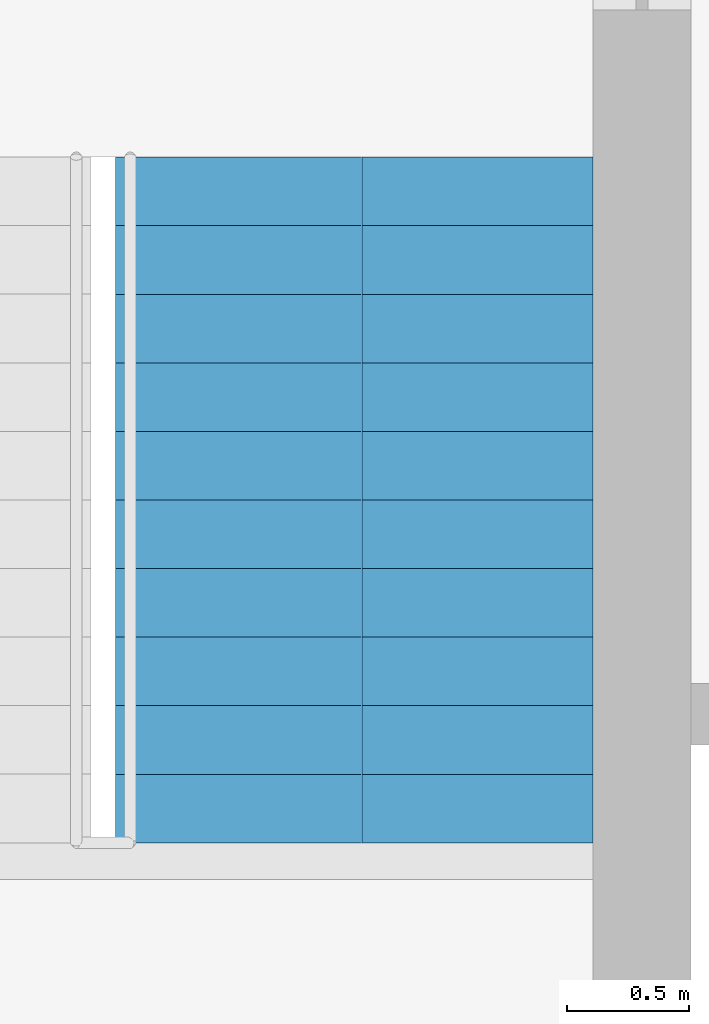
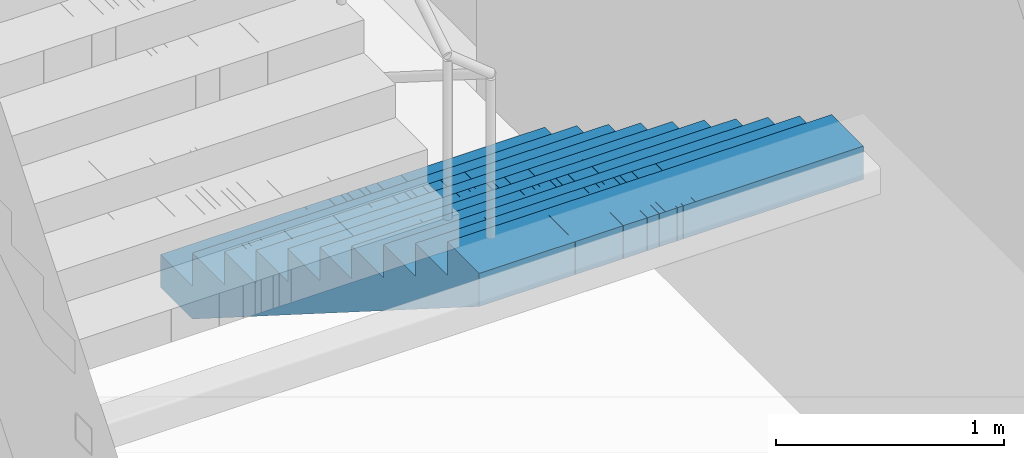
# One storey, part 21 of 22: 1 stair flight, 1 element without a shape of its own.
"""IFC4 building model written with IfcOpenShell, lengths in metres."""

from ifc_helpers import new_model, si_unit, direction, frame, origin, place, context, subcontext, project, spatial, polyline, outline, extrude, material, type_object, element, aggregate, save


model = new_model("IFC4")

# Units and contexts
model_context = context("Model", 3, precision=1e-05, world=origin(), true_north=direction((0.0, 1.0)))
body_context = subcontext(model_context, "Body", "Model", "MODEL_VIEW")
ifc_project = project(units=[si_unit("LENGTHUNIT", "METRE"), si_unit("AREAUNIT", "SQUARE_METRE"), si_unit("VOLUMEUNIT", "CUBIC_METRE"), si_unit("PLANEANGLEUNIT", "RADIAN"), si_unit("MASSUNIT", "GRAM", prefix="KILO")], contexts=[model_context])

# Site, building, storey
site_placement = place(None, origin())
site = spatial("IfcSite", under=ifc_project, at=site_placement, CompositionType="ELEMENT")
building_placement = place(site_placement, origin())
building = spatial("IfcBuilding", under=site, at=building_placement, Name="Mizan Broadcast Tower", CompositionType="ELEMENT")
storey_placement = place(building_placement, frame((0.0, 0.0, 90.300048828125)))
storey = spatial("IfcBuildingStorey", under=building, at=storey_placement, Name="L19", CompositionType="ELEMENT", Elevation=90.300048828125)

# Stair, stair flight
ifc_material_1 = material(Name="Concrete C40/50", Category="concrete")
stair_type = type_object("IfcStairType", Name="EXIT STAIR", PredefinedType="HALF_TURN_STAIR", material=ifc_material_1)
stair_placement = place(storey_placement, origin())
stair = element("IfcStair", 1, at=stair_placement, inside=storey, type_object=stair_type, Name="Stair B L19", PredefinedType="HALF_TURN_STAIR")
ifc_material_2 = material(Name="Concrete C40/50", Category="concrete")
stair_flight_type = type_object("IfcStairFlightType", Name="EXIT STAIR FLIGHT", PredefinedType="STRAIGHT", material=ifc_material_2)
stair_flight_placement = place(storey_placement, frame((1.02490234375, 7.89990234375, 0.0), z_axis=(0.0, 0.0, 1.0), x_axis=(0.0, -1.0, 0.0)))
stair_flight = element("IfcStairFlight", 2, at=stair_flight_placement, type_object=stair_flight_type, Name="B flight 1", NumberOfRisers=11, NumberOfTreads=10, PredefinedType="STRAIGHT", RiserHeight=0.177272727, TreadLength=0.28, context=body_context, shape_type="SweptSolid", body=[
    extrude(outline(polyline([(0.0, 0.0), (0.0, 0.17724609375), (0.280029296875, 0.17724609375), (0.280029296875, 0.3544921875), (0.56005859375, 0.3544921875), (0.56005859375, 0.53173828125), (0.840087890625, 0.53173828125), (0.840087890625, 0.708984375), (1.1201171875, 0.708984375), (1.1201171875, 0.886474609375), (1.39990234375, 0.886474609375), (1.39990234375, 1.063720703125), (1.679931640625, 1.063720703125), (1.679931640625, 1.240966796875), (1.9599609375, 1.240966796875), (1.9599609375, 1.418212890625), (2.239990234375, 1.418212890625), (2.239990234375, 1.595458984375), (2.52001953125, 1.595458984375), (2.52001953125, 1.772705078125), (2.800048828125, 1.772705078125), (2.800048828125, 1.949951171875), (2.800048828125, 1.59521484375), (0.2802734375, 0.0), (0.0, 0.0)])), frame((0.0, 0.97509765625, 0.0), z_axis=(0.0, -1.0, 0.0), x_axis=(1.0, 0.0, 0.0)), (0.0, 0.0, 1.0), 0.4873046875),
    extrude(outline(polyline([(0.0, 0.0), (0.0, 0.17724609375), (0.280029296875, 0.17724609375), (0.280029296875, 0.3544921875), (0.56005859375, 0.3544921875), (0.56005859375, 0.53173828125), (0.840087890625, 0.53173828125), (0.840087890625, 0.708984375), (1.1201171875, 0.708984375), (1.1201171875, 0.886474609375), (1.39990234375, 0.886474609375), (1.39990234375, 1.063720703125), (1.679931640625, 1.063720703125), (1.679931640625, 1.240966796875), (1.9599609375, 1.240966796875), (1.9599609375, 1.418212890625), (2.239990234375, 1.418212890625), (2.239990234375, 1.595458984375), (2.52001953125, 1.595458984375), (2.52001953125, 1.772705078125), (2.800048828125, 1.772705078125), (2.800048828125, 1.949951171875), (2.800048828125, 1.59521484375), (0.2802734375, 0.0), (0.0, 0.0)])), frame((0.0, 0.4873046875, 0.0), z_axis=(0.0, -1.0, 0.0), x_axis=(1.0, 0.0, 0.0)), (0.0, 0.0, 1.0), 0.2431640625),
    extrude(outline(polyline([(0.0, 0.0), (0.0, 0.17724609375), (0.280029296875, 0.17724609375), (0.280029296875, 0.3544921875), (0.56005859375, 0.3544921875), (0.56005859375, 0.53173828125), (0.840087890625, 0.53173828125), (0.840087890625, 0.708984375), (1.1201171875, 0.708984375), (1.1201171875, 0.886474609375), (1.39990234375, 0.886474609375), (1.39990234375, 1.063720703125), (1.679931640625, 1.063720703125), (1.679931640625, 1.240966796875), (1.9599609375, 1.240966796875), (1.9599609375, 1.418212890625), (2.239990234375, 1.418212890625), (2.239990234375, 1.595458984375), (2.52001953125, 1.595458984375), (2.52001953125, 1.772705078125), (2.800048828125, 1.772705078125), (2.800048828125, 1.949951171875), (2.800048828125, 1.59521484375), (0.2802734375, 0.0), (0.0, 0.0)])), frame((0.0, 0.24365234375, 0.0), z_axis=(0.0, -1.0, 0.0), x_axis=(1.0, 0.0, 0.0)), (0.0, 0.0, 1.0), 0.121337890625),
    extrude(outline(polyline([(0.0, 0.0), (0.0, 0.17724609375), (0.280029296875, 0.17724609375), (0.280029296875, 0.3544921875), (0.56005859375, 0.3544921875), (0.56005859375, 0.53173828125), (0.840087890625, 0.53173828125), (0.840087890625, 0.708984375), (1.1201171875, 0.708984375), (1.1201171875, 0.886474609375), (1.39990234375, 0.886474609375), (1.39990234375, 1.063720703125), (1.679931640625, 1.063720703125), (1.679931640625, 1.240966796875), (1.9599609375, 1.240966796875), (1.9599609375, 1.418212890625), (2.239990234375, 1.418212890625), (2.239990234375, 1.595458984375), (2.52001953125, 1.595458984375), (2.52001953125, 1.772705078125), (2.800048828125, 1.772705078125), (2.800048828125, 1.949951171875), (2.800048828125, 1.59521484375), (0.2802734375, 0.0), (0.0, 0.0)])), frame((0.0, 0.121826171875, 0.0), z_axis=(0.0, -1.0, 0.0), x_axis=(1.0, 0.0, 0.0)), (0.0, 0.0, 1.0), 0.060546875),
    extrude(outline(polyline([(0.0, 0.0), (0.0, 0.17724609375), (0.280029296875, 0.17724609375), (0.280029296875, 0.3544921875), (0.56005859375, 0.3544921875), (0.56005859375, 0.53173828125), (0.840087890625, 0.53173828125), (0.840087890625, 0.708984375), (1.1201171875, 0.708984375), (1.1201171875, 0.886474609375), (1.39990234375, 0.886474609375), (1.39990234375, 1.063720703125), (1.679931640625, 1.063720703125), (1.679931640625, 1.240966796875), (1.9599609375, 1.240966796875), (1.9599609375, 1.418212890625), (2.239990234375, 1.418212890625), (2.239990234375, 1.595458984375), (2.52001953125, 1.595458984375), (2.52001953125, 1.772705078125), (2.800048828125, 1.772705078125), (2.800048828125, 1.949951171875), (2.800048828125, 1.59521484375), (0.2802734375, 0.0), (0.0, 0.0)])), frame((0.0, 0.060791015625, 0.0), z_axis=(0.0, -1.0, 0.0), x_axis=(1.0, 0.0, 0.0)), (0.0, 0.0, 1.0), 0.030029296875),
    extrude(outline(polyline([(0.0, 0.0), (0.0, 0.17724609375), (0.280029296875, 0.17724609375), (0.280029296875, 0.3544921875), (0.56005859375, 0.3544921875), (0.56005859375, 0.53173828125), (0.840087890625, 0.53173828125), (0.840087890625, 0.708984375), (1.1201171875, 0.708984375), (1.1201171875, 0.886474609375), (1.39990234375, 0.886474609375), (1.39990234375, 1.063720703125), (1.679931640625, 1.063720703125), (1.679931640625, 1.240966796875), (1.9599609375, 1.240966796875), (1.9599609375, 1.418212890625), (2.239990234375, 1.418212890625), (2.239990234375, 1.595458984375), (2.52001953125, 1.595458984375), (2.52001953125, 1.772705078125), (2.800048828125, 1.772705078125), (2.800048828125, 1.949951171875), (2.800048828125, 1.59521484375), (0.2802734375, 0.0), (0.0, 0.0)])), frame((0.0, 0.0302734375, 0.0), z_axis=(0.0, -1.0, 0.0), x_axis=(1.0, 0.0, 0.0)), (0.0, 0.0, 1.0), 0.060302734375),
    extrude(outline(polyline([(0.0, 0.0), (0.0, 0.17724609375), (0.280029296875, 0.17724609375), (0.280029296875, 0.3544921875), (0.56005859375, 0.3544921875), (0.56005859375, 0.53173828125), (0.840087890625, 0.53173828125), (0.840087890625, 0.708984375), (1.1201171875, 0.708984375), (1.1201171875, 0.886474609375), (1.39990234375, 0.886474609375), (1.39990234375, 1.063720703125), (1.679931640625, 1.063720703125), (1.679931640625, 1.240966796875), (1.9599609375, 1.240966796875), (1.9599609375, 1.418212890625), (2.239990234375, 1.418212890625), (2.239990234375, 1.595458984375), (2.52001953125, 1.595458984375), (2.52001953125, 1.772705078125), (2.800048828125, 1.772705078125), (2.800048828125, 1.949951171875), (2.800048828125, 1.59521484375), (0.2802734375, 0.0), (0.0, 0.0)])), frame((0.0, -0.030517578125, 0.0), z_axis=(0.0, -1.0, 0.0), x_axis=(1.0, 0.0, 0.0)), (0.0, 0.0, 1.0), 0.030029296875),
    extrude(outline(polyline([(0.0, 0.0), (0.0, 0.17724609375), (0.280029296875, 0.17724609375), (0.280029296875, 0.3544921875), (0.56005859375, 0.3544921875), (0.56005859375, 0.53173828125), (0.840087890625, 0.53173828125), (0.840087890625, 0.708984375), (1.1201171875, 0.708984375), (1.1201171875, 0.886474609375), (1.39990234375, 0.886474609375), (1.39990234375, 1.063720703125), (1.679931640625, 1.063720703125), (1.679931640625, 1.240966796875), (1.9599609375, 1.240966796875), (1.9599609375, 1.418212890625), (2.239990234375, 1.418212890625), (2.239990234375, 1.595458984375), (2.52001953125, 1.595458984375), (2.52001953125, 1.772705078125), (2.800048828125, 1.772705078125), (2.800048828125, 1.949951171875), (2.800048828125, 1.59521484375), (0.2802734375, 0.0), (0.0, 0.0)])), frame((0.0, -0.06103515625, 0.0), z_axis=(0.0, -1.0, 0.0), x_axis=(1.0, 0.0, 0.0)), (0.0, 0.0, 1.0), 0.060546875),
    extrude(outline(polyline([(0.0, 0.0), (0.0, 0.17724609375), (0.280029296875, 0.17724609375), (0.280029296875, 0.3544921875), (0.56005859375, 0.3544921875), (0.56005859375, 0.53173828125), (0.840087890625, 0.53173828125), (0.840087890625, 0.708984375), (1.1201171875, 0.708984375), (1.1201171875, 0.886474609375), (1.39990234375, 0.886474609375), (1.39990234375, 1.063720703125), (1.679931640625, 1.063720703125), (1.679931640625, 1.240966796875), (1.9599609375, 1.240966796875), (1.9599609375, 1.418212890625), (2.239990234375, 1.418212890625), (2.239990234375, 1.595458984375), (2.52001953125, 1.595458984375), (2.52001953125, 1.772705078125), (2.800048828125, 1.772705078125), (2.800048828125, 1.949951171875), (2.800048828125, 1.59521484375), (0.2802734375, 0.0), (0.0, 0.0)])), frame((0.0, -0.1220703125, 0.0), z_axis=(0.0, -1.0, 0.0), x_axis=(1.0, 0.0, 0.0)), (0.0, 0.0, 1.0), 0.121337890625),
    extrude(outline(polyline([(0.0, 0.0), (0.0, 0.17724609375), (0.280029296875, 0.17724609375), (0.280029296875, 0.3544921875), (0.56005859375, 0.3544921875), (0.56005859375, 0.53173828125), (0.840087890625, 0.53173828125), (0.840087890625, 0.708984375), (1.1201171875, 0.708984375), (1.1201171875, 0.886474609375), (1.39990234375, 0.886474609375), (1.39990234375, 1.063720703125), (1.679931640625, 1.063720703125), (1.679931640625, 1.240966796875), (1.9599609375, 1.240966796875), (1.9599609375, 1.418212890625), (2.239990234375, 1.418212890625), (2.239990234375, 1.595458984375), (2.52001953125, 1.595458984375), (2.52001953125, 1.772705078125), (2.800048828125, 1.772705078125), (2.800048828125, 1.949951171875), (2.800048828125, 1.59521484375), (0.2802734375, 0.0), (0.0, 0.0)])), frame((0.0, -0.243896484375, 0.0), z_axis=(0.0, -1.0, 0.0), x_axis=(1.0, 0.0, 0.0)), (0.0, 0.0, 1.0), 0.2431640625),
    extrude(outline(polyline([(0.0, 0.0), (0.0, 0.17724609375), (0.280029296875, 0.17724609375), (0.280029296875, 0.3544921875), (0.56005859375, 0.3544921875), (0.56005859375, 0.53173828125), (0.840087890625, 0.53173828125), (0.840087890625, 0.708984375), (1.1201171875, 0.708984375), (1.1201171875, 0.886474609375), (1.39990234375, 0.886474609375), (1.39990234375, 1.063720703125), (1.679931640625, 1.063720703125), (1.679931640625, 1.240966796875), (1.9599609375, 1.240966796875), (1.9599609375, 1.418212890625), (2.239990234375, 1.418212890625), (2.239990234375, 1.595458984375), (2.52001953125, 1.595458984375), (2.52001953125, 1.772705078125), (2.800048828125, 1.772705078125), (2.800048828125, 1.949951171875), (2.800048828125, 1.59521484375), (0.2802734375, 0.0), (0.0, 0.0)])), frame((0.0, -0.487548828125, 0.0), z_axis=(0.0, -1.0, 0.0), x_axis=(1.0, 0.0, 0.0)), (0.0, 0.0, 1.0), 0.4873046875),
])
aggregate(stair, [stair_flight])

save(model, "model.ifc")
